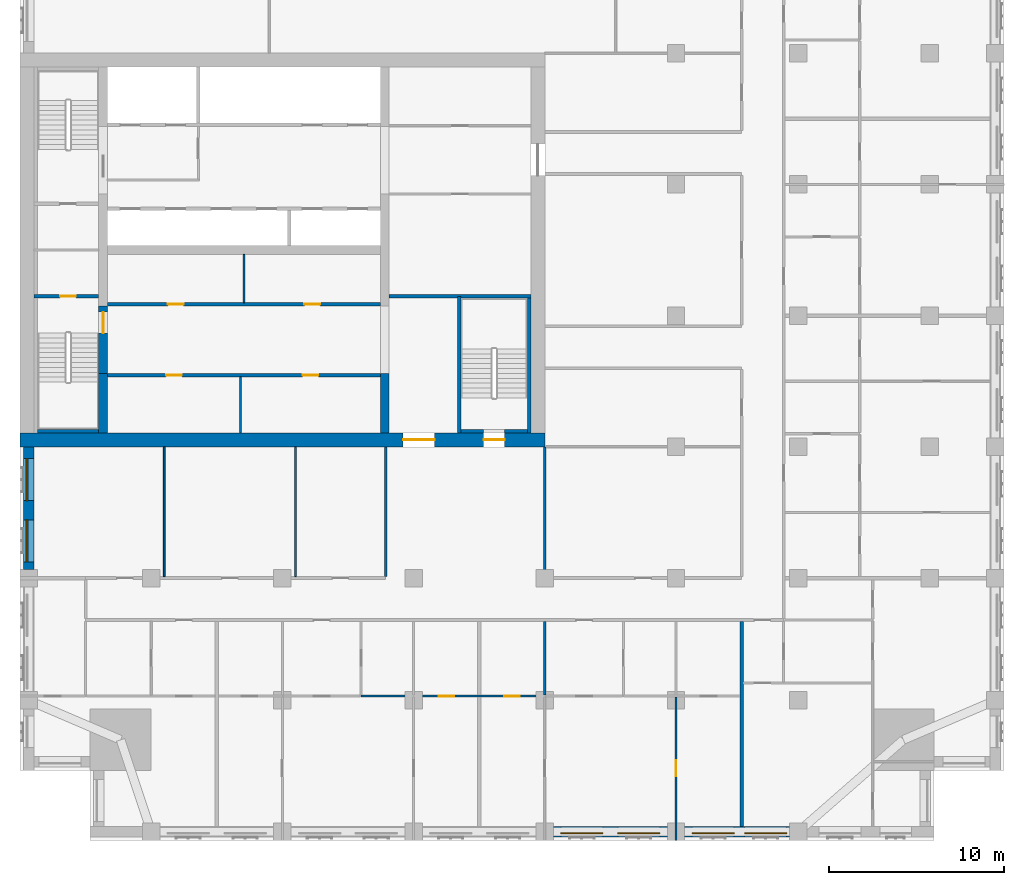
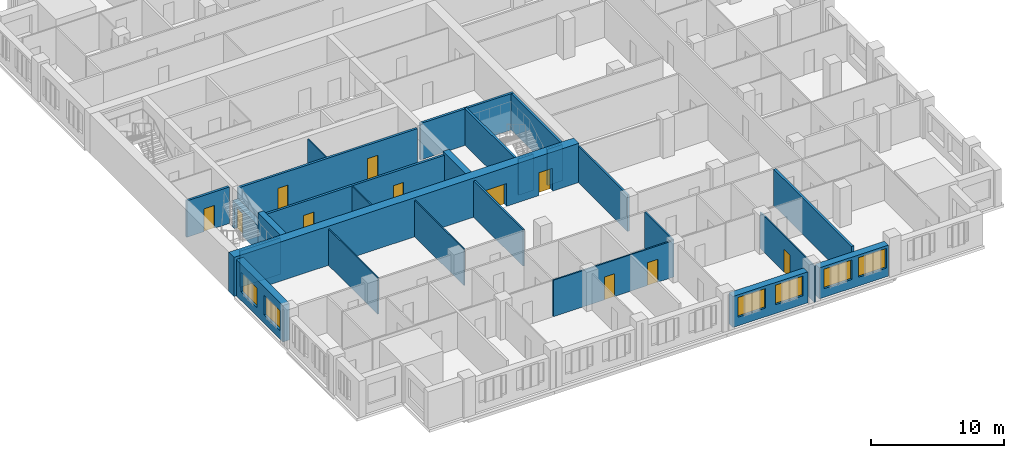
# One storey, part 5 of 13: 26 walls, 11 doors, 6 windows, 17 openings.
"""IFC4 building model written with IfcOpenShell, lengths in metres."""

import ifcopenshell
import ifcopenshell.guid

model = None  # the IFC model being written
_history = None  # IfcOwnerHistory: only IFC2X3 demands one
_inside = {}  # id of a spatial element -> (the spatial element, [elements in it])
_under = {}  # id of a project, library or spatial element -> (it, [spatial elements below it])
_declared = {}  # id of a project -> (the project, [libraries it declares])
_typed = {}  # id of a type object -> (the type object, [elements of that type])
_made_of = {}  # id of a material, layer set ... -> (it, [elements and type objects made of it])


def new_model(schema):
    """Start an empty IFC model of exactly this schema.

    Asked for "IFC4X3", IfcOpenShell would pick the latest addendum, in which some entities
    have other attributes; the version numbers below select the first issue.
    IFC2X3 requires an IfcOwnerHistory on every rooted entity: one is made here for all.
    """
    global model, _history
    if schema == "IFC4X3":
        model = ifcopenshell.file(schema_version=(4, 3, 0, 0))
    else:
        model = ifcopenshell.file(schema=schema)
    _inside.clear()
    _under.clear()
    _declared.clear()
    _typed.clear()
    _made_of.clear()
    _history = None
    if model.schema == "IFC2X3":
        org = make("IfcOrganization", Name="unknown")
        user = make(
            "IfcPersonAndOrganization",
            ThePerson=make("IfcPerson", FamilyName="unknown"),
            TheOrganization=org,
        )
        app = make(
            "IfcApplication",
            ApplicationDeveloper=org,
            Version="unknown",
            ApplicationFullName="unknown",
            ApplicationIdentifier="unknown",
        )
        _history = make(
            "IfcOwnerHistory",
            OwningUser=user,
            OwningApplication=app,
            ChangeAction="ADDED",
            CreationDate=0,
        )
    return model


def make(cls, **values):
    """One entity of the class cls with the attributes given. An attribute that is None is left unset."""
    return model.create_entity(
        cls, **{name: value for name, value in values.items() if value is not None}
    )


def rooted(cls, **values):
    """An entity with a GlobalId (a new one), such as an element, a storey or a relation."""
    return make(cls, GlobalId=ifcopenshell.guid.new(), OwnerHistory=_history, **values)


def si_unit(unit_type, name, prefix=None):
    """IfcSIUnit, for example si_unit("LENGTHUNIT", "METRE", prefix="MILLI")."""
    return make("IfcSIUnit", UnitType=unit_type, Prefix=prefix, Name=name)


def assignment(units):
    """IfcUnitAssignment: the units of a project."""
    return None if units is None else make("IfcUnitAssignment", Units=units)


def point(xyz):
    """IfcCartesianPoint."""
    return None if xyz is None else make("IfcCartesianPoint", Coordinates=xyz)


def direction(xyz):
    """IfcDirection."""
    return None if xyz is None else make("IfcDirection", DirectionRatios=xyz)


def frame(location, z_axis=None, x_axis=None):
    """IfcAxis2Placement3D, a coordinate frame: its origin and axes. An axis left out is left unset."""
    return make(
        "IfcAxis2Placement3D",
        Location=point(location),
        Axis=direction(z_axis),
        RefDirection=direction(x_axis),
    )


def frame_2d(location, x_axis=None):
    """IfcAxis2Placement2D, a coordinate frame in the plane: its origin and x axis."""
    return make(
        "IfcAxis2Placement2D", Location=point(location), RefDirection=direction(x_axis)
    )


def origin():
    """The frame at (0, 0, 0) with its axes left unset."""
    return frame((0.0, 0.0, 0.0))


def place(relative_to, where):
    """IfcLocalPlacement: puts the frame where relative to a parent placement (None: the world)."""
    return make(
        "IfcLocalPlacement", PlacementRelTo=relative_to, RelativePlacement=where
    )


def context(
    kind, dimensions, precision=None, world=None, true_north=None, identifier=None
):
    """IfcGeometricRepresentationContext, for example the 3D "Model" context."""
    return make(
        "IfcGeometricRepresentationContext",
        ContextIdentifier=identifier,
        ContextType=kind,
        CoordinateSpaceDimension=dimensions,
        Precision=precision,
        WorldCoordinateSystem=world,
        TrueNorth=true_north,
    )


def subcontext(parent, identifier, kind, view, scale=None):
    """IfcGeometricRepresentationSubContext, for example "Body" below "Model"."""
    return make(
        "IfcGeometricRepresentationSubContext",
        ContextIdentifier=identifier,
        ContextType=kind,
        ParentContext=parent,
        TargetScale=scale,
        TargetView=view,
    )


def project(units=None, contexts=None):
    """IfcProject with its units and contexts."""
    return rooted(
        "IfcProject",
        Name="project",
        RepresentationContexts=contexts,
        UnitsInContext=assignment(units),
    )


def spatial(cls, under=None, at=None, **own):
    """A site, building, storey or space (cls), placed at a placement, below another one or the project."""
    s = rooted(cls, ObjectPlacement=at, **own)
    if under is not None:
        _under.setdefault(under.id(), (under, []))[1].append(s)
    return s


def profile(cls, at=None, kind="AREA", **sizes):
    """A parametric profile (cls). Its sizes go by their IFC names, for example OverallWidth=200.0."""
    return make(cls, ProfileType=kind, Position=at, **sizes)


def rectangle(**sizes):
    """IfcRectangleProfileDef."""
    return profile("IfcRectangleProfileDef", **sizes)


def extrude(swept, where, along, depth):
    """IfcExtrudedAreaSolid: the profile swept, set in the frame where, extruded along a direction by depth."""
    return make(
        "IfcExtrudedAreaSolid",
        SweptArea=swept,
        Position=where,
        ExtrudedDirection=direction(along),
        Depth=depth,
    )


def shape(context_of_items, identifier, shape_type, items):
    """IfcShapeRepresentation: the items that make up one representation, for example the "Body"."""
    return make(
        "IfcShapeRepresentation",
        ContextOfItems=context_of_items,
        RepresentationIdentifier=identifier,
        RepresentationType=shape_type,
        Items=items,
    )


def material(Name=None, Category=None):
    """IfcMaterial."""
    return make("IfcMaterial", Name=Name, Category=Category)


def layer(
    of_material, thickness, ventilated=None, Name=None, Category=None, Priority=None
):
    """IfcMaterialLayer: one layer of a wall or slab, of a material (None: an air gap)."""
    return make(
        "IfcMaterialLayer",
        Material=of_material,
        LayerThickness=thickness,
        IsVentilated=ventilated,
        Name=Name,
        Category=Category,
        Priority=Priority,
    )


def layer_set(layers, Name=None):
    """IfcMaterialLayerSet."""
    return make("IfcMaterialLayerSet", MaterialLayers=layers, LayerSetName=Name)


def made_of(thing, what):
    """Note that an element or type object is made of a material, layer set ...; save() writes the relation."""
    if what is not None:
        _made_of.setdefault(what.id(), (what, []))[1].append(thing)
    return thing


def type_object(cls, material=None, **own):
    """A type object (cls), such as IfcWallType, which elements share."""
    return made_of(rooted(cls, **own), material)


def element(
    cls,
    number,
    at=None,
    inside=None,
    cuts=None,
    type_object=None,
    material=None,
    context=None,
    identifier="Body",
    shape_type=None,
    held_by="IfcProductDefinitionShape",
    body=None,
    shapes=None,
    **own,
):
    """One element of the class cls, such as IfcWall. Its Tag is "e" and its number.

    at: its placement. inside: the storey or other place that contains it. cuts: it is an
    opening in that element (IfcRelVoidsElement). A single representation is given by context,
    identifier, shape_type and body (its items); several are given by shapes. held_by: the class
    of the entity that holds the representations. save() writes the other relations.
    """
    e = rooted(cls, Tag="e%d" % number, ObjectPlacement=at, **own)
    if body is not None:
        shapes = [shape(context, identifier, shape_type, body)]
    if shapes is not None:
        e.Representation = make(held_by, Representations=shapes)
    if inside is not None:
        _inside.setdefault(inside.id(), (inside, []))[1].append(e)
    if cuts is not None:
        rooted(
            "IfcRelVoidsElement", RelatingBuildingElement=cuts, RelatedOpeningElement=e
        )
    if type_object is not None:
        _typed.setdefault(type_object.id(), (type_object, []))[1].append(e)
    return made_of(e, material)


def fill(opening, filler):
    """IfcRelFillsElement: the door or window that sits in an opening."""
    return rooted(
        "IfcRelFillsElement",
        RelatingOpeningElement=opening,
        RelatedBuildingElement=filler,
    )


def aggregate(whole, parts):
    """IfcRelAggregates: a whole, such as a stair, and the parts it consists of."""
    return rooted("IfcRelAggregates", RelatingObject=whole, RelatedObjects=parts)


def save(model, path):
    """Write the relations noted so far, then the file.

    IfcRelAggregates (storeys below a building ...), IfcRelContainedInSpatialStructure (elements
    in a storey), IfcRelDefinesByType, IfcRelAssociatesMaterial and IfcRelDeclares: one each for
    every whole, place, type object, material and project.
    """
    for whole, parts in _under.values():
        aggregate(whole, parts)
    for where, things in _inside.values():
        rooted(
            "IfcRelContainedInSpatialStructure",
            RelatedElements=things,
            RelatingStructure=where,
        )
    for kind, things in _typed.values():
        rooted("IfcRelDefinesByType", RelatedObjects=things, RelatingType=kind)
    for what, things in _made_of.values():
        rooted("IfcRelAssociatesMaterial", RelatedObjects=things, RelatingMaterial=what)
    for by, libraries in _declared.values():
        rooted("IfcRelDeclares", RelatingContext=by, RelatedDefinitions=libraries)
    model.write(path)


model = new_model("IFC4")

# Units and contexts
model_context = context("Model", 3, precision=1e-05, world=origin(), true_north=direction((0.0, 1.0)))
body_context = subcontext(model_context, "Body", "Model", "MODEL_VIEW")
ifc_project = project(units=[si_unit("LENGTHUNIT", "METRE"), si_unit("AREAUNIT", "SQUARE_METRE"), si_unit("VOLUMEUNIT", "CUBIC_METRE"), si_unit("PLANEANGLEUNIT", "RADIAN"), si_unit("MASSUNIT", "GRAM", prefix="KILO")], contexts=[model_context])

# Site, building, storey
site_placement = place(None, origin())
site = spatial("IfcSite", under=ifc_project, at=site_placement, CompositionType="ELEMENT")
building_placement = place(site_placement, origin())
building = spatial("IfcBuilding", under=site, at=building_placement, Name="Tamorin Gate", CompositionType="ELEMENT")
storey_placement = place(building_placement, frame((0.0, 0.0, 159.0)))
storey = spatial("IfcBuildingStorey", under=building, at=storey_placement, Name="L39", CompositionType="ELEMENT", Elevation=159.0)

# Wall, openings, windows
ifc_material_1 = material(Name="Precast concrete C40/50", Category="concrete")
ifc_layer_1 = layer(ifc_material_1, 0.60009765625)
ifc_layer_set_1 = layer_set([ifc_layer_1], Name="Precast concrete C40/50")
wall_type_1 = type_object("IfcWallType", Name="Board-marked concrete facade panel 600", PredefinedType="SOLIDWALL", material=ifc_layer_set_1)
wall_1_placement = place(storey_placement, frame((60.5, 38.0, 0.0), z_axis=(0.0, 0.0, 1.0), x_axis=(1.0, 0.0, 0.0)))
wall_1 = element("IfcWall", 1, at=wall_1_placement, inside=storey, type_object=wall_type_1, Name="Facade panel", PredefinedType="SOLIDWALL", context=body_context, shape_type="SweptSolid", body=[
    extrude(rectangle(XDim=6.5, YDim=0.60009765625, at=frame_2d((3.25, 0.0))), origin(), (0.0, 0.0, 1.0), 2.85009765625),
])
opening_1_placement = place(wall_1_placement, frame((0.425048828125, 0.0, 0.800048828125)))
opening_1 = element("IfcOpeningElement", 2, at=opening_1_placement, cuts=wall_1, Name="Opening WN1", PredefinedType="OPENING", context=body_context, shape_type="SweptSolid", body=[
    extrude(rectangle(XDim=2.39990234375, YDim=1.800048828125, at=frame_2d((1.199951171875, 0.89990234375))), frame((0.0, 0.31005859375, 0.0), z_axis=(0.0, -1.0, 0.0), x_axis=(1.0, 0.0, 0.0)), (0.0, 0.0, 1.0), 0.6201171875),
])
opening_2_placement = place(wall_1_placement, frame((3.675048828125, 0.0, 0.800048828125)))
opening_2 = element("IfcOpeningElement", 3, at=opening_2_placement, cuts=wall_1, Name="Opening WN1", PredefinedType="OPENING", context=body_context, shape_type="SweptSolid", body=[
    extrude(rectangle(XDim=2.39990234375, YDim=1.800048828125, at=frame_2d((1.199951171875, 0.89990234375))), frame((0.0, 0.31005859375, 0.0), z_axis=(0.0, -1.0, 0.0), x_axis=(1.0, 0.0, 0.0)), (0.0, 0.0, 1.0), 0.6201171875),
])
ifc_material_2 = material(Name="Clear glass in aluminium frame", Category="aluminium")
window_type = type_object("IfcWindowType", Name="Deep-set window 2400x1800", PartitioningType="SINGLE_PANEL", PredefinedType="WINDOW", material=ifc_material_2)
window_1_placement = place(opening_1_placement, origin())
window_1 = element("IfcWindow", 4, at=window_1_placement, inside=storey, type_object=window_type, Name="Deep-set window", OverallHeight=1.800048828125, OverallWidth=2.39990234375, PartitioningType="SINGLE_PANEL", PredefinedType="WINDOW", context=body_context, shape_type="SweptSolid", body=[
    extrude(rectangle(XDim=2.39990234375, YDim=1.800048828125, at=frame_2d((1.199951171875, 0.89990234375))), frame((0.0, -0.070068359375, 0.0), z_axis=(0.0, -1.0, 0.0), x_axis=(1.0, 0.0, 0.0)), (0.0, 0.0, 1.0), 0.06005859375),
])
fill(opening_1, window_1)
window_2_placement = place(opening_2_placement, origin())
window_2 = element("IfcWindow", 5, at=window_2_placement, inside=storey, type_object=window_type, Name="Deep-set window", OverallHeight=1.800048828125, OverallWidth=2.39990234375, PartitioningType="SINGLE_PANEL", PredefinedType="WINDOW", context=body_context, shape_type="SweptSolid", body=[
    extrude(rectangle(XDim=2.39990234375, YDim=1.800048828125, at=frame_2d((1.199951171875, 0.89990234375))), frame((0.0, -0.070068359375, 0.0), z_axis=(0.0, -1.0, 0.0), x_axis=(1.0, 0.0, 0.0)), (0.0, 0.0, 1.0), 0.06005859375),
])
fill(opening_2, window_2)

wall_2_placement = place(storey_placement, frame((68.0, 38.0, 0.0), z_axis=(0.0, 0.0, 1.0), x_axis=(1.0, 0.0, 0.0)))
wall_2 = element("IfcWall", 6, at=wall_2_placement, inside=storey, type_object=wall_type_1, Name="Facade panel", PredefinedType="SOLIDWALL", context=body_context, shape_type="SweptSolid", body=[
    extrude(rectangle(XDim=6.0, YDim=0.60009765625, at=frame_2d((3.0, 0.0))), origin(), (0.0, 0.0, 1.0), 2.85009765625),
])
opening_3_placement = place(wall_2_placement, frame((0.425048828125, 0.0, 0.800048828125)))
opening_3 = element("IfcOpeningElement", 7, at=opening_3_placement, cuts=wall_2, Name="Opening WN1", PredefinedType="OPENING", context=body_context, shape_type="SweptSolid", body=[
    extrude(rectangle(XDim=2.39990234375, YDim=1.800048828125, at=frame_2d((1.199951171875, 0.89990234375))), frame((0.0, 0.31005859375, 0.0), z_axis=(0.0, -1.0, 0.0), x_axis=(1.0, 0.0, 0.0)), (0.0, 0.0, 1.0), 0.6201171875),
])
opening_4_placement = place(wall_2_placement, frame((3.425048828125, 0.0, 0.800048828125)))
opening_4 = element("IfcOpeningElement", 8, at=opening_4_placement, cuts=wall_2, Name="Opening WN1", PredefinedType="OPENING", context=body_context, shape_type="SweptSolid", body=[
    extrude(rectangle(XDim=2.39990234375, YDim=1.800048828125, at=frame_2d((1.199951171875, 0.89990234375))), frame((0.0, 0.31005859375, 0.0), z_axis=(0.0, -1.0, 0.0), x_axis=(1.0, 0.0, 0.0)), (0.0, 0.0, 1.0), 0.6201171875),
])
window_3_placement = place(opening_3_placement, origin())
window_3 = element("IfcWindow", 9, at=window_3_placement, inside=storey, type_object=window_type, Name="Deep-set window", OverallHeight=1.800048828125, OverallWidth=2.39990234375, PartitioningType="SINGLE_PANEL", PredefinedType="WINDOW", context=body_context, shape_type="SweptSolid", body=[
    extrude(rectangle(XDim=2.39990234375, YDim=1.800048828125, at=frame_2d((1.199951171875, 0.89990234375))), frame((0.0, -0.070068359375, 0.0), z_axis=(0.0, -1.0, 0.0), x_axis=(1.0, 0.0, 0.0)), (0.0, 0.0, 1.0), 0.06005859375),
])
fill(opening_3, window_3)
window_4_placement = place(opening_4_placement, origin())
window_4 = element("IfcWindow", 10, at=window_4_placement, inside=storey, type_object=window_type, Name="Deep-set window", OverallHeight=1.800048828125, OverallWidth=2.39990234375, PartitioningType="SINGLE_PANEL", PredefinedType="WINDOW", context=body_context, shape_type="SweptSolid", body=[
    extrude(rectangle(XDim=2.39990234375, YDim=1.800048828125, at=frame_2d((1.199951171875, 0.89990234375))), frame((0.0, -0.070068359375, 0.0), z_axis=(0.0, -1.0, 0.0), x_axis=(1.0, 0.0, 0.0)), (0.0, 0.0, 1.0), 0.06005859375),
])
fill(opening_4, window_4)

wall_3_placement = place(storey_placement, frame((30.5, 60.0, 0.0), z_axis=(0.0, 0.0, 1.0), x_axis=(0.0, -1.0, 0.0)))
wall_3 = element("IfcWall", 11, at=wall_3_placement, inside=storey, type_object=wall_type_1, Name="Facade panel", PredefinedType="SOLIDWALL", context=body_context, shape_type="SweptSolid", body=[
    extrude(rectangle(XDim=7.0, YDim=0.60009765625, at=frame_2d((3.5, 0.0))), origin(), (0.0, 0.0, 1.0), 3.35009765625),
])
opening_5_placement = place(wall_3_placement, frame((4.175048828125, 0.0, 0.800048828125)))
opening_5 = element("IfcOpeningElement", 12, at=opening_5_placement, cuts=wall_3, Name="Opening WN1", PredefinedType="OPENING", context=body_context, shape_type="SweptSolid", body=[
    extrude(rectangle(XDim=2.39990234375, YDim=1.800048828125, at=frame_2d((1.199951171875, 0.89990234375))), frame((0.0, 0.31005859375, 0.0), z_axis=(0.0, -1.0, 0.0), x_axis=(1.0, 0.0, 0.0)), (0.0, 0.0, 1.0), 0.6201171875),
])
opening_6_placement = place(wall_3_placement, frame((0.675048828125, 0.0, 0.800048828125)))
opening_6 = element("IfcOpeningElement", 13, at=opening_6_placement, cuts=wall_3, Name="Opening WN1", PredefinedType="OPENING", context=body_context, shape_type="SweptSolid", body=[
    extrude(rectangle(XDim=2.39990234375, YDim=1.800048828125, at=frame_2d((1.199951171875, 0.89990234375))), frame((0.0, 0.31005859375, 0.0), z_axis=(0.0, -1.0, 0.0), x_axis=(1.0, 0.0, 0.0)), (0.0, 0.0, 1.0), 0.6201171875),
])
window_5_placement = place(opening_5_placement, origin())
window_5 = element("IfcWindow", 14, at=window_5_placement, inside=storey, type_object=window_type, Name="Deep-set window", OverallHeight=1.800048828125, OverallWidth=2.39990234375, PartitioningType="SINGLE_PANEL", PredefinedType="WINDOW", context=body_context, shape_type="SweptSolid", body=[
    extrude(rectangle(XDim=2.39990234375, YDim=1.800048828125, at=frame_2d((1.199951171875, 0.89990234375))), frame((0.0, -0.070068359375, 0.0), z_axis=(0.0, -1.0, 0.0), x_axis=(1.0, 0.0, 0.0)), (0.0, 0.0, 1.0), 0.06005859375),
])
fill(opening_5, window_5)
window_6_placement = place(opening_6_placement, origin())
window_6 = element("IfcWindow", 15, at=window_6_placement, inside=storey, type_object=window_type, Name="Deep-set window", OverallHeight=1.800048828125, OverallWidth=2.39990234375, PartitioningType="SINGLE_PANEL", PredefinedType="WINDOW", context=body_context, shape_type="SweptSolid", body=[
    extrude(rectangle(XDim=2.39990234375, YDim=1.800048828125, at=frame_2d((1.199951171875, 0.89990234375))), frame((0.0, -0.070068359375, 0.0), z_axis=(0.0, -1.0, 0.0), x_axis=(1.0, 0.0, 0.0)), (0.0, 0.0, 1.0), 0.06005859375),
])
fill(opening_6, window_6)

# Walls
ifc_material_3 = material(Name="Gypsum board partition")
ifc_layer_2 = layer(ifc_material_3, 0.199951171875)
ifc_layer_set_2 = layer_set([ifc_layer_2], Name="Demising wall 200")
wall_type_2 = type_object("IfcWallType", Name="Demising wall 200", PredefinedType="PARTITIONING", material=ifc_layer_set_2)
wall_4_placement = place(storey_placement, frame((71.25, 38.31005859375, 0.0), z_axis=(0.0, 0.0, 1.0), x_axis=(0.0, 1.0, 0.0)))
element("IfcWall", 16, at=wall_4_placement, inside=storey, type_object=wall_type_2, Name="Demising wall 200", PredefinedType="PARTITIONING", context=body_context, shape_type="SweptSolid", body=[
    extrude(rectangle(XDim=11.71484375, YDim=0.199951171875, at=frame_2d((5.857421875, 0.0))), origin(), (0.0, 0.0, 1.0), 3.35009765625),
])
ifc_layer_3 = layer(ifc_material_3, 0.14990234375)
ifc_layer_set_3 = layer_set([ifc_layer_3], Name="Lobby wall 150")
wall_type_3 = type_object("IfcWallType", Name="Lobby wall 150", PredefinedType="PARTITIONING", material=ifc_layer_set_3)
for number, where, z_axis, x_axis, name in (
    (17, (50.89990234375, 52.574951171875, 0.0), (0.0, 0.0, 1.0), (0.0, 1.0, 0.0), "Lobby wall 150"),
    (18, (60.0, 52.574951171875, 0.0), (0.0, 0.0, 1.0), (0.0, 1.0, 0.0), "Lobby wall 150"),
):
    element("IfcWall", number, at=place(storey_placement, frame(where, z_axis=z_axis, x_axis=x_axis)), inside=storey, type_object=wall_type_3, Name=name, PredefinedType="PARTITIONING", context=body_context, shape_type="SweptSolid", body=[
        extrude(rectangle(XDim=7.425048828125, YDim=0.14990234375, at=frame_2d((3.71240234375, 0.0))), origin(), (0.0, 0.0, 1.0), 3.35009765625),
    ])
ifc_material_4 = material(Name="Concrete C60/75", Category="concrete")
ifc_layer_4 = layer(ifc_material_4, 0.5)
ifc_layer_set_4 = layer_set([ifc_layer_4], Name="RC core internal wall 500 C60/75")
wall_type_4 = type_object("IfcWallType", Name="RC core internal wall 500 C60/75", PredefinedType="SHEAR", material=ifc_layer_set_4)
for number, where, z_axis, x_axis, name in (
    (19, (34.75, 60.800048828125, 0.0), (0.0, 0.0, 1.0), (0.0, 1.0, 0.0), "Core cross wall L39"),
    (20, (50.85009765625, 60.800048828125, 0.0), (0.0, 0.0, 1.0), (0.0, 1.0, 0.0), "Core cross wall L39"),
):
    element("IfcWall", number, at=place(storey_placement, frame(where, z_axis=z_axis, x_axis=x_axis)), inside=storey, type_object=wall_type_4, Name=name, PredefinedType="SHEAR", context=body_context, shape_type="SweptSolid", body=[
        extrude(rectangle(XDim=3.39990234375, YDim=0.5, at=frame_2d((1.699951171875, 0.0))), origin(), (0.0, 0.0, 1.0), 3.60009765625),
    ])

# Wall, openings, doors
ifc_layer_5 = layer(ifc_material_4, 0.800048828125)
ifc_layer_set_5 = layer_set([ifc_layer_5], Name="RC core wall 800 C60/75")
wall_type_5 = type_object("IfcWallType", Name="RC core wall 800 C60/75", PredefinedType="SHEAR", material=ifc_layer_set_5)
wall_5_placement = place(storey_placement, frame((30.0, 60.39990234375, 0.0), z_axis=(0.0, 0.0, 1.0), x_axis=(1.0, 0.0, 0.0)))
wall_5 = element("IfcWall", 21, at=wall_5_placement, inside=storey, type_object=wall_type_5, Name="Core wall L39", PredefinedType="SHEAR", context=body_context, shape_type="SweptSolid", body=[
    extrude(rectangle(XDim=30.0, YDim=0.800048828125, at=frame_2d((15.0, 0.0))), origin(), (0.0, 0.0, 1.0), 3.60009765625),
])
opening_7_placement = place(wall_5_placement, frame((21.89990234375, 0.0, 0.0)))
opening_7 = element("IfcOpeningElement", 22, at=opening_7_placement, cuts=wall_5, Name="Opening DE1", PredefinedType="OPENING", context=body_context, shape_type="SweptSolid", body=[
    extrude(rectangle(XDim=1.800048828125, YDim=2.10009765625, at=frame_2d((0.89990234375, 1.050048828125))), frame((0.0, 0.409912109375, 0.0), z_axis=(0.0, -1.0, 0.0), x_axis=(1.0, 0.0, 0.0)), (0.0, 0.0, 1.0), 0.820068359375),
])
opening_8_placement = place(wall_5_placement, frame((26.5, 0.0, 0.0)))
opening_8 = element("IfcOpeningElement", 23, at=opening_8_placement, cuts=wall_5, Name="Opening DS1", PredefinedType="OPENING", context=body_context, shape_type="SweptSolid", body=[
    extrude(rectangle(XDim=1.199951171875, YDim=2.10009765625, at=frame_2d((0.60009765625, 1.050048828125))), frame((0.0, 0.409912109375, 0.0), z_axis=(0.0, -1.0, 0.0), x_axis=(1.0, 0.0, 0.0)), (0.0, 0.0, 1.0), 0.820068359375),
])
ifc_material_5 = material(Name="Steel fire door", Category="steel")
door_type_1 = type_object("IfcDoorType", Name="Lobby exit double door 1800 x 2100 EI 60", OperationType="DOUBLE_DOOR_SINGLE_SWING", PredefinedType="DOOR", material=ifc_material_5)
door_1_placement = place(opening_7_placement, origin())
door_1 = element("IfcDoor", 24, at=door_1_placement, inside=storey, type_object=door_type_1, Name="Lift lobby A exit door", OperationType="DOUBLE_DOOR_SINGLE_SWING", OverallHeight=2.10009765625, OverallWidth=1.800048828125, PredefinedType="DOOR", context=body_context, shape_type="SweptSolid", body=[
    extrude(rectangle(XDim=1.800048828125, YDim=2.10009765625, at=frame_2d((0.89990234375, 1.050048828125))), frame((0.0, 0.02490234375, 0.0), z_axis=(0.0, -1.0, 0.0), x_axis=(1.0, 0.0, 0.0)), (0.0, 0.0, 1.0), 0.050048828125),
])
fill(opening_7, door_1)
door_type_2 = type_object("IfcDoorType", Name="Stair door 1200 x 2100 EI 90", OperationType="SINGLE_SWING_LEFT", PredefinedType="DOOR", material=ifc_material_5)
door_2_placement = place(opening_8_placement, origin())
door_2 = element("IfcDoor", 25, at=door_2_placement, inside=storey, type_object=door_type_2, Name="ST3 door", OperationType="SINGLE_SWING_LEFT", OverallHeight=2.10009765625, OverallWidth=1.199951171875, PredefinedType="DOOR", context=body_context, shape_type="SweptSolid", body=[
    extrude(rectangle(XDim=1.199951171875, YDim=2.10009765625, at=frame_2d((0.60009765625, 1.050048828125))), frame((0.0, 0.02490234375, 0.0), z_axis=(0.0, -1.0, 0.0), x_axis=(1.0, 0.0, 0.0)), (0.0, 0.0, 1.0), 0.050048828125),
])
fill(opening_8, door_2)

# Walls
ifc_layer_6 = layer(ifc_material_3, 0.10009765625)
ifc_layer_set_6 = layer_set([ifc_layer_6], Name="Room partition 100")
wall_type_6 = type_object("IfcWallType", Name="Room partition 100", PredefinedType="PARTITIONING", material=ifc_layer_set_6)
for number, where, z_axis, x_axis, name in (
    (26, (38.25, 52.574951171875, 0.0), (0.0, 0.0, 1.0), (0.0, 1.0, 0.0), "Room partition 100"),
    (27, (45.75, 52.574951171875, 0.0), (0.0, 0.0, 1.0), (0.0, 1.0, 0.0), "Room partition 100"),
):
    element("IfcWall", number, at=place(storey_placement, frame(where, z_axis=z_axis, x_axis=x_axis)), inside=storey, type_object=wall_type_6, Name=name, PredefinedType="PARTITIONING", context=body_context, shape_type="SweptSolid", body=[
        extrude(rectangle(XDim=7.425048828125, YDim=0.10009765625, at=frame_2d((3.71240234375, 0.0))), origin(), (0.0, 0.0, 1.0), 3.35009765625),
    ])

# Wall, opening, door
wall_6_placement = place(storey_placement, frame((67.5, 37.5, 0.0), z_axis=(0.0, 0.0, 1.0), x_axis=(0.0, 1.0, 0.0)))
wall_6 = element("IfcWall", 28, at=wall_6_placement, inside=storey, type_object=wall_type_6, Name="Room partition 100", PredefinedType="PARTITIONING", context=body_context, shape_type="SweptSolid", body=[
    extrude(rectangle(XDim=8.1875, YDim=0.10009765625, at=frame_2d((4.09375, 0.0))), origin(), (0.0, 0.0, 1.0), 3.35009765625),
])
opening_9_placement = place(wall_6_placement, frame((3.675048828125, 0.0, 0.0)))
opening_9 = element("IfcOpeningElement", 29, at=opening_9_placement, cuts=wall_6, Name="Opening DS1018", PredefinedType="OPENING", context=body_context, shape_type="SweptSolid", body=[
    extrude(rectangle(XDim=0.89990234375, YDim=2.10009765625, at=frame_2d((0.449951171875, 1.050048828125))), frame((0.0, 0.06005859375, 0.0), z_axis=(0.0, -1.0, 0.0), x_axis=(1.0, 0.0, 0.0)), (0.0, 0.0, 1.0), 0.1201171875),
])
ifc_material_6 = material(Name="Timber door leaf", Category="wood")
door_type_3 = type_object("IfcDoorType", Name="Door 900 x 2100", OperationType="NOTDEFINED", PredefinedType="DOOR", material=ifc_material_6)
door_3_placement = place(opening_9_placement, origin())
door_3 = element("IfcDoor", 30, at=door_3_placement, inside=storey, type_object=door_type_3, Name="Door DS1018", OperationType="SINGLE_SWING_LEFT", OverallHeight=2.10009765625, OverallWidth=0.89990234375, PredefinedType="DOOR", context=body_context, shape_type="SweptSolid", body=[
    extrude(rectangle(XDim=0.89990234375, YDim=2.10009765625, at=frame_2d((0.449951171875, 1.050048828125))), frame((0.0, 0.02490234375, 0.0), z_axis=(0.0, -1.0, 0.0), x_axis=(1.0, 0.0, 0.0)), (0.0, 0.0, 1.0), 0.050048828125),
])
fill(opening_9, door_3)

# Wall, openings, doors
ifc_layer_7 = layer(ifc_material_3, 0.199951171875)
ifc_layer_set_7 = layer_set([ifc_layer_7], Name="Service room face wall 200 EI 60")
wall_type_7 = type_object("IfcWallType", Name="Service room face wall 200 EI 60", PredefinedType="PARTITIONING", material=ifc_layer_set_7)
wall_7_placement = place(storey_placement, frame((35.0, 64.10009765625, 0.0), z_axis=(0.0, 0.0, 1.0), x_axis=(1.0, 0.0, 0.0)))
wall_7 = element("IfcWall", 31, at=wall_7_placement, inside=storey, type_object=wall_type_7, Name="Service room face wall", PredefinedType="PARTITIONING", context=body_context, shape_type="SweptSolid", body=[
    extrude(rectangle(XDim=15.60009765625, YDim=0.199951171875, at=frame_2d((7.800048828125, 0.0))), origin(), (0.0, 0.0, 1.0), 3.35009765625),
])
opening_10_placement = place(wall_7_placement, frame((3.35009765625, 0.0, 0.0)))
opening_10 = element("IfcOpeningElement", 32, at=opening_10_placement, cuts=wall_7, Name="Opening DK1", PredefinedType="OPENING", context=body_context, shape_type="SweptSolid", body=[
    extrude(rectangle(XDim=0.89990234375, YDim=2.10009765625, at=frame_2d((0.449951171875, 1.050048828125))), frame((0.0, 0.10986328125, 0.0), z_axis=(0.0, -1.0, 0.0), x_axis=(1.0, 0.0, 0.0)), (0.0, 0.0, 1.0), 0.219970703125),
])
opening_11_placement = place(wall_7_placement, frame((11.14990234375, 0.0, 0.0)))
opening_11 = element("IfcOpeningElement", 33, at=opening_11_placement, cuts=wall_7, Name="Opening DK1", PredefinedType="OPENING", context=body_context, shape_type="SweptSolid", body=[
    extrude(rectangle(XDim=0.89990234375, YDim=2.10009765625, at=frame_2d((0.449951171875, 1.050048828125))), frame((0.0, 0.10986328125, 0.0), z_axis=(0.0, -1.0, 0.0), x_axis=(1.0, 0.0, 0.0)), (0.0, 0.0, 1.0), 0.219970703125),
])
ifc_material_7 = material(Name="Timber fire door", Category="wood")
door_type_4 = type_object("IfcDoorType", Name="Service room door 900 x 2100 EI 60", OperationType="SINGLE_SWING_LEFT", PredefinedType="DOOR", material=ifc_material_7)
door_4_placement = place(opening_10_placement, origin())
door_4 = element("IfcDoor", 34, at=door_4_placement, inside=storey, type_object=door_type_4, Name="Door Pantry", OperationType="SINGLE_SWING_LEFT", OverallHeight=2.10009765625, OverallWidth=0.89990234375, PredefinedType="DOOR", context=body_context, shape_type="SweptSolid", body=[
    extrude(rectangle(XDim=0.89990234375, YDim=2.10009765625, at=frame_2d((0.449951171875, 1.050048828125))), frame((0.0, 0.02490234375, 0.0), z_axis=(0.0, -1.0, 0.0), x_axis=(1.0, 0.0, 0.0)), (0.0, 0.0, 1.0), 0.050048828125),
])
fill(opening_10, door_4)
door_5_placement = place(opening_11_placement, origin())
door_5 = element("IfcDoor", 35, at=door_5_placement, inside=storey, type_object=door_type_4, Name="Door Linen store", OperationType="SINGLE_SWING_RIGHT", OverallHeight=2.10009765625, OverallWidth=0.89990234375, PredefinedType="DOOR", context=body_context, shape_type="SweptSolid", body=[
    extrude(rectangle(XDim=0.89990234375, YDim=2.10009765625, at=frame_2d((0.449951171875, 1.050048828125))), frame((0.0, 0.02490234375, 0.0), z_axis=(0.0, -1.0, 0.0), x_axis=(1.0, 0.0, 0.0)), (0.0, 0.0, 1.0), 0.050048828125),
])
fill(opening_11, door_5)

wall_8_placement = place(storey_placement, frame((35.0, 68.14990234375, 0.0), z_axis=(0.0, 0.0, 1.0), x_axis=(1.0, 0.0, 0.0)))
wall_8 = element("IfcWall", 36, at=wall_8_placement, inside=storey, type_object=wall_type_7, Name="Service room face wall", PredefinedType="PARTITIONING", context=body_context, shape_type="SweptSolid", body=[
    extrude(rectangle(XDim=15.60009765625, YDim=0.199951171875, at=frame_2d((7.800048828125, 0.0))), origin(), (0.0, 0.0, 1.0), 3.35009765625),
])
opening_12_placement = place(wall_8_placement, frame((3.449951171875, 0.0, 0.0)))
opening_12 = element("IfcOpeningElement", 37, at=opening_12_placement, cuts=wall_8, Name="Opening DK1", PredefinedType="OPENING", context=body_context, shape_type="SweptSolid", body=[
    extrude(rectangle(XDim=0.89990234375, YDim=2.10009765625, at=frame_2d((0.449951171875, 1.050048828125))), frame((0.0, 0.10986328125, 0.0), z_axis=(0.0, -1.0, 0.0), x_axis=(1.0, 0.0, 0.0)), (0.0, 0.0, 1.0), 0.219970703125),
])
opening_13_placement = place(wall_8_placement, frame((11.25, 0.0, 0.0)))
opening_13 = element("IfcOpeningElement", 38, at=opening_13_placement, cuts=wall_8, Name="Opening DK1", PredefinedType="OPENING", context=body_context, shape_type="SweptSolid", body=[
    extrude(rectangle(XDim=0.89990234375, YDim=2.10009765625, at=frame_2d((0.449951171875, 1.050048828125))), frame((0.0, 0.10986328125, 0.0), z_axis=(0.0, -1.0, 0.0), x_axis=(1.0, 0.0, 0.0)), (0.0, 0.0, 1.0), 0.219970703125),
])
door_6_placement = place(opening_12_placement, origin())
door_6 = element("IfcDoor", 39, at=door_6_placement, inside=storey, type_object=door_type_4, Name="Door Housekeeping store", OperationType="SINGLE_SWING_LEFT", OverallHeight=2.10009765625, OverallWidth=0.89990234375, PredefinedType="DOOR", context=body_context, shape_type="SweptSolid", body=[
    extrude(rectangle(XDim=0.89990234375, YDim=2.10009765625, at=frame_2d((0.449951171875, 1.050048828125))), frame((0.0, 0.02490234375, 0.0), z_axis=(0.0, -1.0, 0.0), x_axis=(1.0, 0.0, 0.0)), (0.0, 0.0, 1.0), 0.050048828125),
])
fill(opening_12, door_6)
door_7_placement = place(opening_13_placement, origin())
door_7 = element("IfcDoor", 40, at=door_7_placement, inside=storey, type_object=door_type_4, Name="Door IT room", OperationType="SINGLE_SWING_RIGHT", OverallHeight=2.10009765625, OverallWidth=0.89990234375, PredefinedType="DOOR", context=body_context, shape_type="SweptSolid", body=[
    extrude(rectangle(XDim=0.89990234375, YDim=2.10009765625, at=frame_2d((0.449951171875, 1.050048828125))), frame((0.0, 0.02490234375, 0.0), z_axis=(0.0, -1.0, 0.0), x_axis=(1.0, 0.0, 0.0)), (0.0, 0.0, 1.0), 0.050048828125),
])
fill(opening_13, door_7)

# Walls
ifc_layer_8 = layer(ifc_material_3, 0.10009765625)
ifc_layer_set_8 = layer_set([ifc_layer_8], Name="Service room partition 100 EI 60")
wall_type_8 = type_object("IfcWallType", Name="Service room partition 100 EI 60", PredefinedType="PARTITIONING", material=ifc_layer_set_8)
wall_9_placement = place(storey_placement, frame((42.60009765625, 60.800048828125, 0.0), z_axis=(0.0, 0.0, 1.0), x_axis=(0.0, 1.0, 0.0)))
element("IfcWall", 41, at=wall_9_placement, inside=storey, type_object=wall_type_8, Name="Service room partition", PredefinedType="PARTITIONING", context=body_context, shape_type="SweptSolid", body=[
    extrude(rectangle(XDim=3.199951171875, YDim=0.10009765625, at=frame_2d((1.60009765625, 0.0))), origin(), (0.0, 0.0, 1.0), 3.35009765625),
])
wall_10_placement = place(storey_placement, frame((42.800048828125, 68.25, 0.0), z_axis=(0.0, 0.0, 1.0), x_axis=(0.0, 1.0, 0.0)))
element("IfcWall", 42, at=wall_10_placement, inside=storey, type_object=wall_type_8, Name="Service room partition", PredefinedType="PARTITIONING", context=body_context, shape_type="SweptSolid", body=[
    extrude(rectangle(XDim=2.75, YDim=0.10009765625, at=frame_2d((1.375, 0.0))), origin(), (0.0, 0.0, 1.0), 3.35009765625),
])

# Wall, opening, door
ifc_material_8 = material(Name="Concrete C40/50", Category="concrete")
ifc_layer_9 = layer(ifc_material_8, 0.199951171875)
ifc_layer_set_9 = layer_set([ifc_layer_9], Name="Stair enclosure wall 200 EI 120 C40/50")
wall_type_9 = type_object("IfcWallType", Name="Stair enclosure wall 200 EI 120 C40/50", PredefinedType="SOLIDWALL", material=ifc_layer_set_9)
wall_11_placement = place(storey_placement, frame((30.800048828125, 68.60009765625, 0.0), z_axis=(0.0, 0.0, 1.0), x_axis=(1.0, 0.0, 0.0)))
wall_11 = element("IfcWall", 43, at=wall_11_placement, inside=storey, type_object=wall_type_9, Name="Stair enclosure wall", PredefinedType="SOLIDWALL", context=body_context, shape_type="SweptSolid", body=[
    extrude(rectangle(XDim=3.699951171875, YDim=0.199951171875, at=frame_2d((1.85009765625, 0.0))), origin(), (0.0, 0.0, 1.0), 3.35009765625),
])
opening_14_placement = place(wall_11_placement, frame((1.5, 0.0, 0.0)))
opening_14 = element("IfcOpeningElement", 44, at=opening_14_placement, cuts=wall_11, Name="Opening DR1", PredefinedType="OPENING", context=body_context, shape_type="SweptSolid", body=[
    extrude(rectangle(XDim=0.89990234375, YDim=2.10009765625, at=frame_2d((0.449951171875, 1.050048828125))), frame((0.0, 0.10986328125, 0.0), z_axis=(0.0, -1.0, 0.0), x_axis=(1.0, 0.0, 0.0)), (0.0, 0.0, 1.0), 0.219970703125),
])
door_type_5 = type_object("IfcDoorType", Name="Riser access door 900 x 2100 EI 120", OperationType="SINGLE_SWING_LEFT", PredefinedType="DOOR", material=ifc_material_5)
door_8_placement = place(opening_14_placement, origin())
door_8 = element("IfcDoor", 45, at=door_8_placement, inside=storey, type_object=door_type_5, Name="Electrical riser door", OperationType="SINGLE_SWING_LEFT", OverallHeight=2.10009765625, OverallWidth=0.89990234375, PredefinedType="DOOR", context=body_context, shape_type="SweptSolid", body=[
    extrude(rectangle(XDim=0.89990234375, YDim=2.10009765625, at=frame_2d((0.449951171875, 1.050048828125))), frame((0.0, 0.02490234375, 0.0), z_axis=(0.0, -1.0, 0.0), x_axis=(1.0, 0.0, 0.0)), (0.0, 0.0, 1.0), 0.050048828125),
])
fill(opening_14, door_8)

# Walls
wall_12_placement = place(storey_placement, frame((55.10009765625, 60.800048828125, 0.0), z_axis=(0.0, 0.0, 1.0), x_axis=(0.0, 1.0, 0.0)))
element("IfcWall", 46, at=wall_12_placement, inside=storey, type_object=wall_type_9, Name="Stair enclosure wall", PredefinedType="SOLIDWALL", context=body_context, shape_type="SweptSolid", body=[
    extrude(rectangle(XDim=7.800048828125, YDim=0.199951171875, at=frame_2d((3.89990234375, 0.0))), origin(), (0.0, 0.0, 1.0), 3.35009765625),
])
wall_13_placement = place(storey_placement, frame((51.10009765625, 68.60009765625, 0.0), z_axis=(0.0, 0.0, 1.0), x_axis=(1.0, 0.0, 0.0)))
element("IfcWall", 47, at=wall_13_placement, inside=storey, type_object=wall_type_9, Name="Stair enclosure wall", PredefinedType="SOLIDWALL", context=body_context, shape_type="SweptSolid", body=[
    extrude(rectangle(XDim=8.099853515625, YDim=0.199951171875, at=frame_2d((4.0498046875, 0.0))), origin(), (0.0, 0.0, 1.0), 3.35009765625),
])
ifc_layer_10 = layer(ifc_material_4, 0.199951171875)
ifc_layer_set_10 = layer_set([ifc_layer_10], Name="Stair lining wall 200 EI 120 C60/75")
wall_type_10 = type_object("IfcWallType", Name="Stair lining wall 200 EI 120 C60/75", PredefinedType="SOLIDWALL", material=ifc_layer_set_10)
wall_14_placement = place(storey_placement, frame((31.0, 60.89990234375, 0.0), z_axis=(0.0, 0.0, 1.0), x_axis=(1.0, 0.0, 0.0)))
element("IfcWall", 48, at=wall_14_placement, inside=storey, type_object=wall_type_10, Name="Stair lining wall", PredefinedType="SOLIDWALL", context=body_context, shape_type="SweptSolid", body=[
    extrude(rectangle(XDim=3.5, YDim=0.199951171875, at=frame_2d((1.75, 0.0))), origin(), (0.0, 0.0, 1.0), 3.35009765625),
])
for number, where, z_axis, x_axis, name in (
    (49, (55.199951171875, 60.89990234375, 0.0), (0.0, 0.0, 1.0), (1.0, 0.0, 0.0), "Stair lining wall"),
    (50, (57.699951171875, 60.89990234375, 0.0), (0.0, 0.0, 1.0), (1.0, 0.0, 0.0), "Stair lining wall"),
):
    element("IfcWall", number, at=place(storey_placement, frame(where, z_axis=z_axis, x_axis=x_axis)), inside=storey, type_object=wall_type_10, Name=name, PredefinedType="SOLIDWALL", context=body_context, shape_type="SweptSolid", body=[
        extrude(rectangle(XDim=1.300048828125, YDim=0.199951171875, at=frame_2d((0.64990234375, 0.0))), origin(), (0.0, 0.0, 1.0), 3.35009765625),
    ])
wall_15_placement = place(storey_placement, frame((59.10009765625, 60.800048828125, 0.0), z_axis=(0.0, 0.0, 1.0), x_axis=(0.0, 1.0, 0.0)))
element("IfcWall", 51, at=wall_15_placement, inside=storey, type_object=wall_type_10, Name="Stair lining wall", PredefinedType="SOLIDWALL", context=body_context, shape_type="SweptSolid", body=[
    extrude(rectangle(XDim=7.699951171875, YDim=0.199951171875, at=frame_2d((3.85009765625, 0.0))), origin(), (0.0, 0.0, 1.0), 3.35009765625),
])

# Wall, opening, door
ifc_material_9 = material(Name="Concrete C32/40", Category="concrete")
ifc_layer_11 = layer(ifc_material_9, 0.5)
ifc_layer_set_11 = layer_set([ifc_layer_11], Name="Stair lobby infill wall 500 EI 120")
wall_type_11 = type_object("IfcWallType", Name="Stair lobby infill wall 500 EI 120", PredefinedType="SOLIDWALL", material=ifc_layer_set_11)
wall_16_placement = place(storey_placement, frame((34.75, 64.199951171875, 0.0), z_axis=(0.0, 0.0, 1.0), x_axis=(0.0, 1.0, 0.0)))
wall_16 = element("IfcWall", 52, at=wall_16_placement, inside=storey, type_object=wall_type_11, Name="Stair lobby infill wall", PredefinedType="SOLIDWALL", context=body_context, shape_type="SweptSolid", body=[
    extrude(rectangle(XDim=3.85009765625, YDim=0.5, at=frame_2d((1.925048828125, 0.0))), origin(), (0.0, 0.0, 1.0), 2.39990234375),
])
opening_15_placement = place(wall_16_placement, frame((2.300048828125, 0.0, 0.0)))
opening_15 = element("IfcOpeningElement", 53, at=opening_15_placement, cuts=wall_16, Name="Opening DS1", PredefinedType="OPENING", context=body_context, shape_type="SweptSolid", body=[
    extrude(rectangle(XDim=1.199951171875, YDim=2.10009765625, at=frame_2d((0.60009765625, 1.050048828125))), frame((0.0, 0.260009765625, 0.0), z_axis=(0.0, -1.0, 0.0), x_axis=(1.0, 0.0, 0.0)), (0.0, 0.0, 1.0), 0.52001953125),
])
door_9_placement = place(opening_15_placement, origin())
door_9 = element("IfcDoor", 54, at=door_9_placement, inside=storey, type_object=door_type_2, Name="ST1 door", OperationType="SINGLE_SWING_LEFT", OverallHeight=2.10009765625, OverallWidth=1.199951171875, PredefinedType="DOOR", context=body_context, shape_type="SweptSolid", body=[
    extrude(rectangle(XDim=1.199951171875, YDim=2.10009765625, at=frame_2d((0.60009765625, 1.050048828125))), frame((0.0, 0.02490234375, 0.0), z_axis=(0.0, -1.0, 0.0), x_axis=(1.0, 0.0, 0.0)), (0.0, 0.0, 1.0), 0.050048828125),
])
fill(opening_15, door_9)

# Wall, openings, doors
ifc_layer_12 = layer(ifc_material_3, 0.125)
ifc_layer_set_12 = layer_set([ifc_layer_12], Name="Wet wall 125")
wall_type_12 = type_object("IfcWallType", Name="Wet wall 125", PredefinedType="PARTITIONING", material=ifc_layer_set_12)
wall_17_placement = place(storey_placement, frame((49.5, 45.75, 0.0), z_axis=(0.0, 0.0, 1.0), x_axis=(1.0, 0.0, 0.0)))
wall_17 = element("IfcWall", 55, at=wall_17_placement, inside=storey, type_object=wall_type_12, Name="Wet wall 125", PredefinedType="PARTITIONING", context=body_context, shape_type="SweptSolid", body=[
    extrude(rectangle(XDim=10.5, YDim=0.125, at=frame_2d((5.25, 0.0))), origin(), (0.0, 0.0, 1.0), 3.35009765625),
])
opening_16_placement = place(wall_17_placement, frame((4.425048828125, 0.0, 0.0)))
opening_16 = element("IfcOpeningElement", 56, at=opening_16_placement, cuts=wall_17, Name="Opening DS1009", PredefinedType="OPENING", context=body_context, shape_type="SweptSolid", body=[
    extrude(rectangle(XDim=0.89990234375, YDim=2.10009765625, at=frame_2d((0.449951171875, 1.050048828125))), frame((0.0, 0.072509765625, 0.0), z_axis=(0.0, -1.0, 0.0), x_axis=(1.0, 0.0, 0.0)), (0.0, 0.0, 1.0), 0.14501953125),
])
opening_17_placement = place(wall_17_placement, frame((8.175048828125, 0.0, 0.0)))
opening_17 = element("IfcOpeningElement", 57, at=opening_17_placement, cuts=wall_17, Name="Opening DS1012", PredefinedType="OPENING", context=body_context, shape_type="SweptSolid", body=[
    extrude(rectangle(XDim=0.89990234375, YDim=2.10009765625, at=frame_2d((0.449951171875, 1.050048828125))), frame((0.0, 0.072509765625, 0.0), z_axis=(0.0, -1.0, 0.0), x_axis=(1.0, 0.0, 0.0)), (0.0, 0.0, 1.0), 0.14501953125),
])
door_10_placement = place(opening_16_placement, origin())
door_10 = element("IfcDoor", 58, at=door_10_placement, inside=storey, type_object=door_type_3, Name="Door DS1009", OperationType="SINGLE_SWING_LEFT", OverallHeight=2.10009765625, OverallWidth=0.89990234375, PredefinedType="DOOR", context=body_context, shape_type="SweptSolid", body=[
    extrude(rectangle(XDim=0.89990234375, YDim=2.10009765625, at=frame_2d((0.449951171875, 1.050048828125))), frame((0.0, 0.02490234375, 0.0), z_axis=(0.0, -1.0, 0.0), x_axis=(1.0, 0.0, 0.0)), (0.0, 0.0, 1.0), 0.050048828125),
])
fill(opening_16, door_10)
door_11_placement = place(opening_17_placement, origin())
door_11 = element("IfcDoor", 59, at=door_11_placement, inside=storey, type_object=door_type_3, Name="Door DS1012", OperationType="SINGLE_SWING_LEFT", OverallHeight=2.10009765625, OverallWidth=0.89990234375, PredefinedType="DOOR", context=body_context, shape_type="SweptSolid", body=[
    extrude(rectangle(XDim=0.89990234375, YDim=2.10009765625, at=frame_2d((0.449951171875, 1.050048828125))), frame((0.0, 0.02490234375, 0.0), z_axis=(0.0, -1.0, 0.0), x_axis=(1.0, 0.0, 0.0)), (0.0, 0.0, 1.0), 0.050048828125),
])
fill(opening_17, door_11)

# Wall
wall_18_placement = place(storey_placement, frame((60.0, 45.8125, 0.0), z_axis=(0.0, 0.0, 1.0), x_axis=(0.0, 1.0, 0.0)))
element("IfcWall", 60, at=wall_18_placement, inside=storey, type_object=wall_type_12, Name="Wet wall 125", PredefinedType="PARTITIONING", context=body_context, shape_type="SweptSolid", body=[
    extrude(rectangle(XDim=4.21240234375, YDim=0.125, at=frame_2d((2.106201171875, 0.0))), origin(), (0.0, 0.0, 1.0), 3.35009765625),
])

save(model, "model.ifc")
